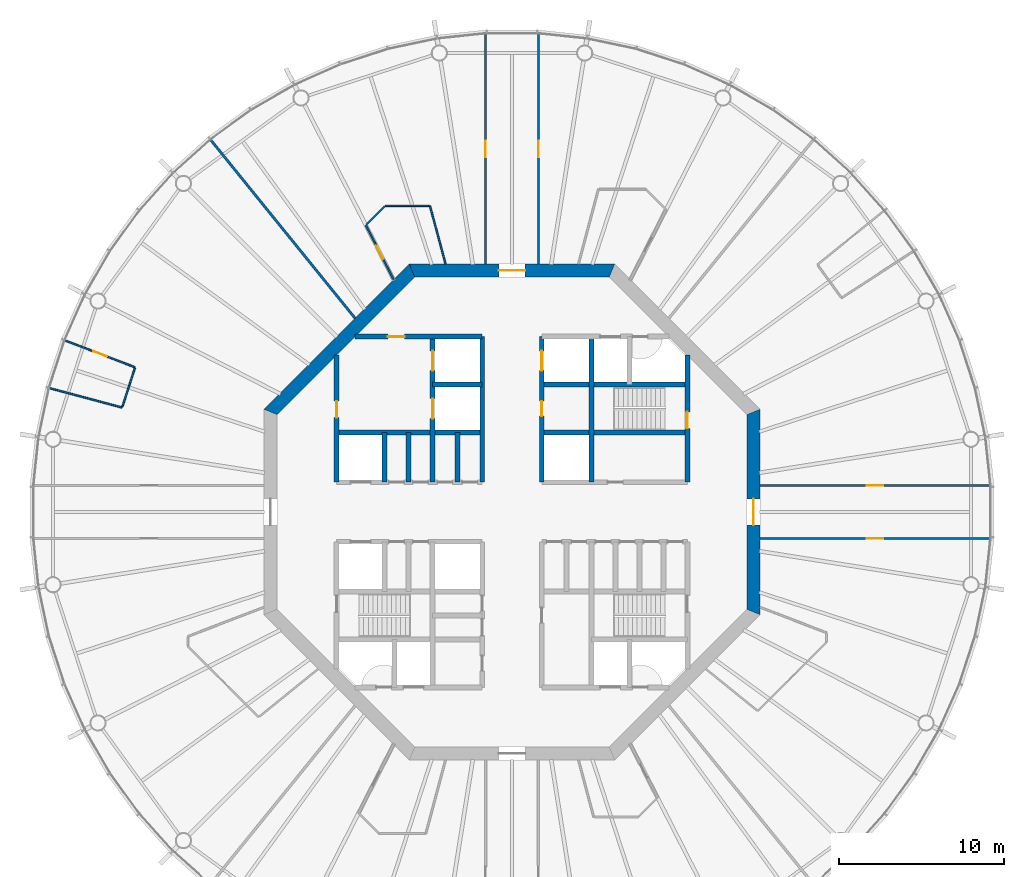
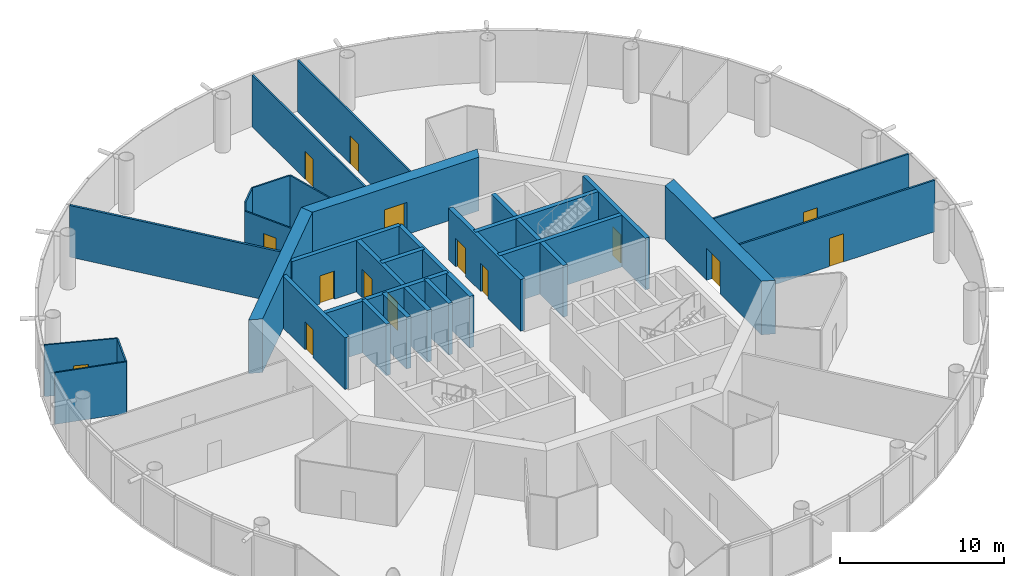
# One storey, part 5 of 13: 29 walls, 15 doors, 15 openings.
"""IFC4 building model written with IfcOpenShell, lengths in metres."""

from ifc_helpers import new_model, si_unit, direction, frame, frame_2d, origin, place, context, subcontext, project, spatial, polyline, rectangle, outline, extrude, material, layer, layer_set, type_object, element, fill, save


model = new_model("IFC4")

# Units and contexts
model_context = context("Model", 3, precision=1e-05, world=origin(), true_north=direction((0.0, 1.0)))
body_context = subcontext(model_context, "Body", "Model", "MODEL_VIEW")
ifc_project = project(units=[si_unit("LENGTHUNIT", "METRE"), si_unit("AREAUNIT", "SQUARE_METRE"), si_unit("VOLUMEUNIT", "CUBIC_METRE"), si_unit("PLANEANGLEUNIT", "RADIAN"), si_unit("MASSUNIT", "GRAM", prefix="KILO")], contexts=[model_context])

# Site, building, storey
site_placement = place(None, origin())
site = spatial("IfcSite", under=ifc_project, at=site_placement, CompositionType="ELEMENT")
building_placement = place(site_placement, origin())
building = spatial("IfcBuilding", under=site, at=building_placement, Name="Entoto Ring Tower", CompositionType="ELEMENT")
storey_placement = place(building_placement, frame((0.0, 0.0, 290.0)))
storey = spatial("IfcBuildingStorey", under=building, at=storey_placement, Name="L66", CompositionType="ELEMENT", Elevation=290.0)

# Wall, opening, door
ifc_material_1 = material(Name="Concrete C40/50", Category="concrete")
ifc_layer_1 = layer(ifc_material_1, 0.300048828125)
ifc_layer_set_1 = layer_set([ifc_layer_1], Name="Concrete C40/50")
wall_type_1 = type_object("IfcWallType", Name="Core enclosure wall 300 mm reinforced concrete", PredefinedType="SOLIDWALL", material=ifc_layer_set_1)
wall_1_placement = place(storey_placement, frame((100.60009765625, 81.800048828125, 0.0), z_axis=(0.0, 0.0, 1.0), x_axis=(0.0, 1.0, 0.0)))
wall_1 = element("IfcWall", 1, at=wall_1_placement, inside=storey, type_object=wall_type_1, Name="wall-L66-002", PredefinedType="SOLIDWALL", context=body_context, shape_type="SweptSolid", body=[
    extrude(rectangle(XDim=7.681640625, YDim=0.300048828125, at=frame_2d((3.8408203125, 0.0))), origin(), (0.0, 0.0, 1.0), 3.85009765625),
])
opening_1_placement = place(wall_1_placement, frame((3.25, 0.0, 0.0)))
opening_1 = element("IfcOpeningElement", 2, at=opening_1_placement, cuts=wall_1, Name="Opening K-29", PredefinedType="OPENING", context=body_context, shape_type="SweptSolid", body=[
    extrude(rectangle(XDim=1.0, YDim=2.10009765625, at=frame_2d((0.5, 1.050048828125))), frame((0.0, 0.16015625, 0.0), z_axis=(0.0, -1.0, 0.0), x_axis=(1.0, 0.0, 0.0)), (0.0, 0.0, 1.0), 0.320068359375),
])
ifc_material_2 = material(Name="Steel door leaf, fire rated", Category="steel")
ifc_layer_2 = layer(ifc_material_2, 0.050048828125)
ifc_layer_set_2 = layer_set([ifc_layer_2], Name="Steel door leaf, fire rated")
door_type_1 = type_object("IfcDoorType", Name="Fire door FD60 1000 x 2100 single leaf", OperationType="NOTDEFINED", PredefinedType="DOOR", material=ifc_layer_set_2)
door_1_placement = place(opening_1_placement, origin())
door_1 = element("IfcDoor", 3, at=door_1_placement, inside=storey, type_object=door_type_1, Name="Door K-29", OperationType="SINGLE_SWING_LEFT", OverallHeight=2.10009765625, OverallWidth=1.0, PredefinedType="DOOR", context=body_context, shape_type="SweptSolid", body=[
    extrude(rectangle(XDim=1.0, YDim=2.10009765625, at=frame_2d((0.5, 1.050048828125))), frame((0.0, 0.02490234375, 0.0), z_axis=(0.0, -1.0, 0.0), x_axis=(1.0, 0.0, 0.0)), (0.0, 0.0, 1.0), 0.050048828125),
])
fill(opening_1, door_1)

# Wall
wall_2_placement = place(storey_placement, frame((94.800048828125, 81.800048828125, 0.0), z_axis=(0.0, 0.0, 1.0), x_axis=(0.0, 1.0, 0.0)))
element("IfcWall", 4, at=wall_2_placement, inside=storey, type_object=wall_type_1, Name="wall-L66-009", PredefinedType="SOLIDWALL", context=body_context, shape_type="SweptSolid", body=[
    extrude(rectangle(XDim=8.800048828125, YDim=0.300048828125, at=frame_2d((4.39990234375, 0.0))), origin(), (0.0, 0.0, 1.0), 3.85009765625),
])

# Wall, openings, doors
wall_3_placement = place(storey_placement, frame((91.800048828125, 81.800048828125, 0.0), z_axis=(0.0, 0.0, 1.0), x_axis=(0.0, 1.0, 0.0)))
wall_3 = element("IfcWall", 5, at=wall_3_placement, inside=storey, type_object=wall_type_1, Name="wall-L66-012", PredefinedType="SOLIDWALL", context=body_context, shape_type="SweptSolid", body=[
    extrude(rectangle(XDim=8.800048828125, YDim=0.300048828125, at=frame_2d((4.39990234375, 0.0))), origin(), (0.0, 0.0, 1.0), 3.85009765625),
])
opening_2_placement = place(wall_3_placement, frame((6.75, 0.0, 0.0)))
opening_2 = element("IfcOpeningElement", 6, at=opening_2_placement, cuts=wall_3, Name="Opening LD", PredefinedType="OPENING", context=body_context, shape_type="SweptSolid", body=[
    extrude(rectangle(XDim=1.199951171875, YDim=2.10009765625, at=frame_2d((0.60009765625, 1.050048828125))), frame((0.0, 0.16015625, 0.0), z_axis=(0.0, -1.0, 0.0), x_axis=(1.0, 0.0, 0.0)), (0.0, 0.0, 1.0), 0.320068359375),
])
opening_3_placement = place(wall_3_placement, frame((4.0, 0.0, 0.0)))
opening_3 = element("IfcOpeningElement", 7, at=opening_3_placement, cuts=wall_3, Name="Opening K-63", PredefinedType="OPENING", context=body_context, shape_type="SweptSolid", body=[
    extrude(rectangle(XDim=0.89990234375, YDim=2.10009765625, at=frame_2d((0.449951171875, 1.050048828125))), frame((0.0, 0.16015625, 0.0), z_axis=(0.0, -1.0, 0.0), x_axis=(1.0, 0.0, 0.0)), (0.0, 0.0, 1.0), 0.320068359375),
])
ifc_material_3 = material(Name="Steel door leaf, fire rated", Category="steel")
ifc_layer_3 = layer(ifc_material_3, 0.050048828125)
ifc_layer_set_3 = layer_set([ifc_layer_3], Name="Steel door leaf, fire rated")
door_type_2 = type_object("IfcDoorType", Name="Core door 900 x 2100 single leaf", OperationType="NOTDEFINED", PredefinedType="DOOR", material=ifc_layer_set_3)
door_2_placement = place(opening_3_placement, frame((0.89990234375, 0.0, 0.0), z_axis=(0.0, 0.0, 1.0), x_axis=(-1.0, 0.0, 0.0)))
door_2 = element("IfcDoor", 8, at=door_2_placement, inside=storey, type_object=door_type_2, Name="Door K-63", OperationType="SINGLE_SWING_RIGHT", OverallHeight=2.10009765625, OverallWidth=0.89990234375, PredefinedType="DOOR", context=body_context, shape_type="SweptSolid", body=[
    extrude(rectangle(XDim=0.89990234375, YDim=2.10009765625, at=frame_2d((0.449951171875, 1.050048828125))), frame((0.0, 0.02490234375, 0.0), z_axis=(0.0, -1.0, 0.0), x_axis=(1.0, 0.0, 0.0)), (0.0, 0.0, 1.0), 0.050048828125),
])
fill(opening_3, door_2)
ifc_material_4 = material(Name="Steel and glass door leaf", Category="steel")
ifc_layer_4 = layer(ifc_material_4, 0.050048828125)
ifc_layer_set_4 = layer_set([ifc_layer_4], Name="Steel and glass door leaf")
door_type_3 = type_object("IfcDoorType", Name="Landing door 1200 x 2100 sliding", OperationType="DOUBLE_DOOR_SLIDING", PredefinedType="DOOR", material=ifc_layer_set_4)
door_3_placement = place(opening_2_placement, origin())
door_3 = element("IfcDoor", 9, at=door_3_placement, inside=storey, type_object=door_type_3, Name="Landing door SH3", OperationType="SLIDING_TO_RIGHT", OverallHeight=2.10009765625, OverallWidth=1.199951171875, PredefinedType="DOOR", context=body_context, shape_type="SweptSolid", body=[
    extrude(rectangle(XDim=1.199951171875, YDim=2.10009765625, at=frame_2d((0.60009765625, 1.050048828125))), frame((0.0, 0.02490234375, 0.0), z_axis=(0.0, -1.0, 0.0), x_axis=(1.0, 0.0, 0.0)), (0.0, 0.0, 1.0), 0.050048828125),
])
fill(opening_2, door_3)

# Walls
wall_4_placement = place(storey_placement, frame((88.199951171875, 81.800048828125, 0.0), z_axis=(0.0, 0.0, 1.0), x_axis=(0.0, 1.0, 0.0)))
element("IfcWall", 10, at=wall_4_placement, inside=storey, type_object=wall_type_1, Name="wall-L66-014", PredefinedType="SOLIDWALL", context=body_context, shape_type="SweptSolid", body=[
    extrude(rectangle(XDim=8.800048828125, YDim=0.300048828125, at=frame_2d((4.39990234375, 0.0))), origin(), (0.0, 0.0, 1.0), 3.85009765625),
])
wall_5_placement = place(storey_placement, frame((86.699951171875, 81.800048828125, 0.0), z_axis=(0.0, 0.0, 1.0), x_axis=(0.0, 1.0, 0.0)))
element("IfcWall", 11, at=wall_5_placement, inside=storey, type_object=wall_type_1, Name="wall-L66-015", PredefinedType="SOLIDWALL", context=body_context, shape_type="SweptSolid", body=[
    extrude(rectangle(XDim=3.0, YDim=0.300048828125, at=frame_2d((1.5, 0.0))), origin(), (0.0, 0.0, 1.0), 3.85009765625),
])

# Wall, openings, doors
wall_6_placement = place(storey_placement, frame((85.199951171875, 81.800048828125, 0.0), z_axis=(0.0, 0.0, 1.0), x_axis=(0.0, 1.0, 0.0)))
wall_6 = element("IfcWall", 12, at=wall_6_placement, inside=storey, type_object=wall_type_1, Name="wall-L66-017", PredefinedType="SOLIDWALL", context=body_context, shape_type="SweptSolid", body=[
    extrude(rectangle(XDim=8.800048828125, YDim=0.300048828125, at=frame_2d((4.39990234375, 0.0))), origin(), (0.0, 0.0, 1.0), 3.85009765625),
])
opening_4_placement = place(wall_6_placement, frame((3.85009765625, 0.0, 0.0)))
opening_4 = element("IfcOpeningElement", 13, at=opening_4_placement, cuts=wall_6, Name="Opening LD", PredefinedType="OPENING", context=body_context, shape_type="SweptSolid", body=[
    extrude(rectangle(XDim=1.199951171875, YDim=2.10009765625, at=frame_2d((0.60009765625, 1.050048828125))), frame((0.0, 0.16015625, 0.0), z_axis=(0.0, -1.0, 0.0), x_axis=(1.0, 0.0, 0.0)), (0.0, 0.0, 1.0), 0.320068359375),
])
opening_5_placement = place(wall_6_placement, frame((6.75, 0.0, 0.0)))
opening_5 = element("IfcOpeningElement", 14, at=opening_5_placement, cuts=wall_6, Name="Opening LD", PredefinedType="OPENING", context=body_context, shape_type="SweptSolid", body=[
    extrude(rectangle(XDim=1.199951171875, YDim=2.10009765625, at=frame_2d((0.60009765625, 1.050048828125))), frame((0.0, 0.16015625, 0.0), z_axis=(0.0, -1.0, 0.0), x_axis=(1.0, 0.0, 0.0)), (0.0, 0.0, 1.0), 0.320068359375),
])
door_4_placement = place(opening_4_placement, origin())
door_4 = element("IfcDoor", 15, at=door_4_placement, inside=storey, type_object=door_type_3, Name="Landing door FF1", OperationType="SLIDING_TO_RIGHT", OverallHeight=2.10009765625, OverallWidth=1.199951171875, PredefinedType="DOOR", context=body_context, shape_type="SweptSolid", body=[
    extrude(rectangle(XDim=1.199951171875, YDim=2.10009765625, at=frame_2d((0.60009765625, 1.050048828125))), frame((0.0, 0.02490234375, 0.0), z_axis=(0.0, -1.0, 0.0), x_axis=(1.0, 0.0, 0.0)), (0.0, 0.0, 1.0), 0.050048828125),
])
fill(opening_4, door_4)
door_5_placement = place(opening_5_placement, origin())
door_5 = element("IfcDoor", 16, at=door_5_placement, inside=storey, type_object=door_type_3, Name="Landing door FF2", OperationType="SLIDING_TO_RIGHT", OverallHeight=2.10009765625, OverallWidth=1.199951171875, PredefinedType="DOOR", context=body_context, shape_type="SweptSolid", body=[
    extrude(rectangle(XDim=1.199951171875, YDim=2.10009765625, at=frame_2d((0.60009765625, 1.050048828125))), frame((0.0, 0.02490234375, 0.0), z_axis=(0.0, -1.0, 0.0), x_axis=(1.0, 0.0, 0.0)), (0.0, 0.0, 1.0), 0.050048828125),
])
fill(opening_5, door_5)

# Walls
for number, where, z_axis, x_axis, name in (
    (17, (83.75, 81.800048828125, 0.0), (0.0, 0.0, 1.0), (0.0, 1.0, 0.0), "wall-L66-019"),
    (18, (82.300048828125, 81.800048828125, 0.0), (0.0, 0.0, 1.0), (0.0, 1.0, 0.0), "wall-L66-022"),
):
    element("IfcWall", number, at=place(storey_placement, frame(where, z_axis=z_axis, x_axis=x_axis)), inside=storey, type_object=wall_type_1, Name=name, PredefinedType="SOLIDWALL", context=body_context, shape_type="SweptSolid", body=[
        extrude(rectangle(XDim=3.0, YDim=0.300048828125, at=frame_2d((1.5, 0.0))), origin(), (0.0, 0.0, 1.0), 3.85009765625),
    ])

# Wall, opening, door
wall_7_placement = place(storey_placement, frame((79.39990234375, 81.800048828125, 0.0), z_axis=(0.0, 0.0, 1.0), x_axis=(0.0, 1.0, 0.0)))
wall_7 = element("IfcWall", 19, at=wall_7_placement, inside=storey, type_object=wall_type_1, Name="wall-L66-024", PredefinedType="SOLIDWALL", context=body_context, shape_type="SweptSolid", body=[
    extrude(rectangle(XDim=7.681640625, YDim=0.300048828125, at=frame_2d((3.8408203125, 0.0))), origin(), (0.0, 0.0, 1.0), 3.85009765625),
])
opening_6_placement = place(wall_7_placement, frame((3.89990234375, 0.0, 0.0)))
opening_6 = element("IfcOpeningElement", 20, at=opening_6_placement, cuts=wall_7, Name="Opening K-35", PredefinedType="OPENING", context=body_context, shape_type="SweptSolid", body=[
    extrude(rectangle(XDim=1.0, YDim=2.10009765625, at=frame_2d((0.5, 1.050048828125))), frame((0.0, 0.16015625, 0.0), z_axis=(0.0, -1.0, 0.0), x_axis=(1.0, 0.0, 0.0)), (0.0, 0.0, 1.0), 0.320068359375),
])
door_6_placement = place(opening_6_placement, frame((1.0, 0.0, 0.0), z_axis=(0.0, 0.0, 1.0), x_axis=(-1.0, 0.0, 0.0)))
door_6 = element("IfcDoor", 21, at=door_6_placement, inside=storey, type_object=door_type_1, Name="Door K-35", OperationType="SINGLE_SWING_RIGHT", OverallHeight=2.10009765625, OverallWidth=1.0, PredefinedType="DOOR", context=body_context, shape_type="SweptSolid", body=[
    extrude(rectangle(XDim=1.0, YDim=2.10009765625, at=frame_2d((0.5, 1.050048828125))), frame((0.0, 0.02490234375, 0.0), z_axis=(0.0, -1.0, 0.0), x_axis=(1.0, 0.0, 0.0)), (0.0, 0.0, 1.0), 0.050048828125),
])
fill(opening_6, door_6)

# Walls
for number, where, z_axis, x_axis, name in (
    (22, (79.39990234375, 84.800048828125, 0.0), (0.0, 0.0, 1.0), (1.0, 0.0, 0.0), "wall-L66-036"),
    (23, (91.800048828125, 84.800048828125, 0.0), (0.0, 0.0, 1.0), (1.0, 0.0, 0.0), "wall-L66-037"),
):
    element("IfcWall", number, at=place(storey_placement, frame(where, z_axis=z_axis, x_axis=x_axis)), inside=storey, type_object=wall_type_1, Name=name, PredefinedType="SOLIDWALL", context=body_context, shape_type="SweptSolid", body=[
        extrude(rectangle(XDim=8.800048828125, YDim=0.300048828125, at=frame_2d((4.39990234375, 0.0))), origin(), (0.0, 0.0, 1.0), 3.85009765625),
    ])
wall_8_placement = place(storey_placement, frame((85.199951171875, 87.699951171875, 0.0), z_axis=(0.0, 0.0, 1.0), x_axis=(1.0, 0.0, 0.0)))
element("IfcWall", 24, at=wall_8_placement, inside=storey, type_object=wall_type_1, Name="wall-L66-038", PredefinedType="SOLIDWALL", context=body_context, shape_type="SweptSolid", body=[
    extrude(rectangle(XDim=3.0, YDim=0.300048828125, at=frame_2d((1.5, 0.0))), origin(), (0.0, 0.0, 1.0), 3.85009765625),
])
wall_9_placement = place(storey_placement, frame((91.800048828125, 87.699951171875, 0.0), z_axis=(0.0, 0.0, 1.0), x_axis=(1.0, 0.0, 0.0)))
element("IfcWall", 25, at=wall_9_placement, inside=storey, type_object=wall_type_1, Name="wall-L66-039", PredefinedType="SOLIDWALL", context=body_context, shape_type="SweptSolid", body=[
    extrude(rectangle(XDim=8.800048828125, YDim=0.300048828125, at=frame_2d((4.39990234375, 0.0))), origin(), (0.0, 0.0, 1.0), 3.85009765625),
])

# Wall, opening, door
wall_10_placement = place(storey_placement, frame((80.518310546875, 90.60009765625, 0.0), z_axis=(0.0, 0.0, 1.0), x_axis=(1.0, 0.0, 0.0)))
wall_10 = element("IfcWall", 26, at=wall_10_placement, inside=storey, type_object=wall_type_1, Name="wall-L66-040", PredefinedType="SOLIDWALL", context=body_context, shape_type="SweptSolid", body=[
    extrude(rectangle(XDim=7.681640625, YDim=0.300048828125, at=frame_2d((3.8408203125, 0.0))), origin(), (0.0, 0.0, 1.0), 3.85009765625),
])
opening_7_placement = place(wall_10_placement, frame((1.981689453125, 0.0, 0.0)))
opening_7 = element("IfcOpeningElement", 27, at=opening_7_placement, cuts=wall_10, Name="Opening K-36", PredefinedType="OPENING", context=body_context, shape_type="SweptSolid", body=[
    extrude(rectangle(XDim=1.0, YDim=2.10009765625, at=frame_2d((0.5, 1.050048828125))), frame((0.0, 0.16015625, 0.0), z_axis=(0.0, -1.0, 0.0), x_axis=(1.0, 0.0, 0.0)), (0.0, 0.0, 1.0), 0.320068359375),
])
door_7_placement = place(opening_7_placement, frame((1.0, 0.0, 0.0), z_axis=(0.0, 0.0, 1.0), x_axis=(-1.0, 0.0, 0.0)))
door_7 = element("IfcDoor", 28, at=door_7_placement, inside=storey, type_object=door_type_1, Name="Door K-36", OperationType="SINGLE_SWING_LEFT", OverallHeight=2.10009765625, OverallWidth=1.0, PredefinedType="DOOR", context=body_context, shape_type="SweptSolid", body=[
    extrude(rectangle(XDim=1.0, YDim=2.10009765625, at=frame_2d((0.5, 1.050048828125))), frame((0.0, 0.02490234375, 0.0), z_axis=(0.0, -1.0, 0.0), x_axis=(1.0, 0.0, 0.0)), (0.0, 0.0, 1.0), 0.050048828125),
])
fill(opening_7, door_7)

ifc_material_5 = material(Name="Concrete C40/50", Category="concrete")
ifc_layer_5 = layer(ifc_material_5, 0.800048828125)
ifc_layer_set_5 = layer_set([ifc_layer_5], Name="Concrete C40/50")
wall_type_2 = type_object("IfcWallType", Name="Core shear wall 800 mm reinforced concrete C40/50", PredefinedType="SHEAR", material=ifc_layer_set_5)
wall_11_placement = place(storey_placement, frame((104.60009765625, 73.952392578125, 0.0), z_axis=(0.0, 0.0, 1.0), x_axis=(0.0, 1.0, 0.0)))
wall_11 = element("IfcWall", 29, at=wall_11_placement, inside=storey, type_object=wall_type_2, Name="wall-L66-core-0", PredefinedType="SHEAR", context=body_context, shape_type="SweptSolid", body=[
    extrude(outline(polyline([(-0.165771484375, -0.39990234375), (12.260986328125, -0.39990234375), (11.929443359375, 0.39990234375), (0.165771484375, 0.39990234375), (-0.165771484375, -0.39990234375)])), origin(), (0.0, 0.0, 1.0), 4.0),
])
opening_8_placement = place(wall_11_placement, frame((5.24755859375, 0.0, 0.0)))
opening_8 = element("IfcOpeningElement", 30, at=opening_8_placement, cuts=wall_11, Name="Opening K-01", PredefinedType="OPENING", context=body_context, shape_type="SweptSolid", body=[
    extrude(rectangle(XDim=1.60009765625, YDim=2.39990234375, at=frame_2d((0.800048828125, 1.199951171875))), frame((0.0, 0.41015625, 0.0), z_axis=(0.0, -1.0, 0.0), x_axis=(1.0, 0.0, 0.0)), (0.0, 0.0, 1.0), 0.820068359375),
])
ifc_material_6 = material(Name="Steel door leaf, fire rated", Category="steel")
ifc_layer_6 = layer(ifc_material_6, 0.050048828125)
ifc_layer_set_6 = layer_set([ifc_layer_6], Name="Steel door leaf, fire rated")
door_type_4 = type_object("IfcDoorType", Name="Entrance door FD60 1600 x 2400 double leaf", OperationType="DOUBLE_DOOR_SINGLE_SWING", PredefinedType="DOOR", material=ifc_layer_set_6)
door_8_placement = place(opening_8_placement, origin())
door_8 = element("IfcDoor", 31, at=door_8_placement, inside=storey, type_object=door_type_4, Name="Entrance door K-01", OperationType="DOUBLE_DOOR_SINGLE_SWING", OverallHeight=2.39990234375, OverallWidth=1.60009765625, PredefinedType="DOOR", context=body_context, shape_type="SweptSolid", body=[
    extrude(rectangle(XDim=1.60009765625, YDim=2.39990234375, at=frame_2d((0.800048828125, 1.199951171875))), frame((0.0, 0.02490234375, 0.0), z_axis=(0.0, -1.0, 0.0), x_axis=(1.0, 0.0, 0.0)), (0.0, 0.0, 1.0), 0.050048828125),
])
fill(opening_8, door_8)

wall_12_placement = place(storey_placement, frame((96.047607421875, 94.60009765625, 0.0), z_axis=(0.0, 0.0, 1.0), x_axis=(-1.0, 0.0, 0.0)))
wall_12 = element("IfcWall", 32, at=wall_12_placement, inside=storey, type_object=wall_type_2, Name="wall-L66-core-2", PredefinedType="SHEAR", context=body_context, shape_type="SweptSolid", body=[
    extrude(outline(polyline([(-0.165771484375, -0.39990234375), (12.260986328125, -0.39990234375), (11.929443359375, 0.39990234375), (0.165771484375, 0.39990234375), (-0.165771484375, -0.39990234375)])), origin(), (0.0, 0.0, 1.0), 4.0),
])
opening_9_placement = place(wall_12_placement, frame((5.24755859375, 0.0, 0.0)))
opening_9 = element("IfcOpeningElement", 33, at=opening_9_placement, cuts=wall_12, Name="Opening K-02", PredefinedType="OPENING", context=body_context, shape_type="SweptSolid", body=[
    extrude(rectangle(XDim=1.60009765625, YDim=2.39990234375, at=frame_2d((0.800048828125, 1.199951171875))), frame((0.0, 0.41015625, 0.0), z_axis=(0.0, -1.0, 0.0), x_axis=(1.0, 0.0, 0.0)), (0.0, 0.0, 1.0), 0.820068359375),
])
door_9_placement = place(opening_9_placement, origin())
door_9 = element("IfcDoor", 34, at=door_9_placement, inside=storey, type_object=door_type_4, Name="Entrance door K-02", OperationType="DOUBLE_DOOR_SINGLE_SWING", OverallHeight=2.39990234375, OverallWidth=1.60009765625, PredefinedType="DOOR", context=body_context, shape_type="SweptSolid", body=[
    extrude(rectangle(XDim=1.60009765625, YDim=2.39990234375, at=frame_2d((0.800048828125, 1.199951171875))), frame((0.0, 0.02490234375, 0.0), z_axis=(0.0, -1.0, 0.0), x_axis=(1.0, 0.0, 0.0)), (0.0, 0.0, 1.0), 0.050048828125),
])
fill(opening_9, door_9)

# Wall
wall_13_placement = place(storey_placement, frame((83.952392578125, 94.60009765625, 0.0), z_axis=(0.0, 0.0, 1.0), x_axis=(-0.707106781187, -0.707106781187, 0.0)))
element("IfcWall", 35, at=wall_13_placement, inside=storey, type_object=wall_type_2, Name="wall-L66-core-3", PredefinedType="SHEAR", context=body_context, shape_type="SweptSolid", body=[
    extrude(outline(polyline([(-0.165771484375, -0.39990234375), (12.2607421875, -0.39990234375), (11.92919921875, 0.39990234375), (0.165771484375, 0.39990234375), (-0.165771484375, -0.39990234375)])), origin(), (0.0, 0.0, 1.0), 4.0),
])

# Wall, opening, door
ifc_material_7 = material(Name="Fire-resisting plasterboard on steel studs", Category="steel")
ifc_layer_7 = layer(ifc_material_7, 0.125)
ifc_layer_set_7 = layer_set([ifc_layer_7], Name="Fire-resisting plasterboard on steel studs")
wall_type_3 = type_object("IfcWallType", Name="Corridor wall 125 mm one-hour plasterboard on steel studs", PredefinedType="PARTITIONING", material=ifc_layer_set_7)
wall_14_placement = place(storey_placement, frame((88.39990234375, 95.0, 0.0), z_axis=(0.0, 0.0, 1.0), x_axis=(0.0, 1.0, 0.0)))
wall_14 = element("IfcWall", 36, at=wall_14_placement, inside=storey, type_object=wall_type_3, Name="partition-L66-004", PredefinedType="PARTITIONING", context=body_context, shape_type="SweptSolid", body=[
    extrude(rectangle(XDim=13.891357421875, YDim=0.125, at=frame_2d((6.94580078125, 0.0))), origin(), (0.0, 0.0, 1.0), 3.85009765625),
])
opening_10_placement = place(wall_14_placement, frame((6.44580078125, 0.0, 0.0)))
opening_10 = element("IfcOpeningElement", 37, at=opening_10_placement, cuts=wall_14, Name="Opening A29-D05", PredefinedType="OPENING", context=body_context, shape_type="SweptSolid", body=[
    extrude(rectangle(XDim=1.0, YDim=2.10009765625, at=frame_2d((0.5, 1.050048828125))), frame((0.0, 0.072509765625, 0.0), z_axis=(0.0, -1.0, 0.0), x_axis=(1.0, 0.0, 0.0)), (0.0, 0.0, 1.0), 0.14501953125),
])
ifc_material_8 = material(Name="Fire-resisting timber door set", Category="wood")
door_type_5 = type_object("IfcDoorType", Name="Door 1000 x 2100 single leaf FD30S fire door", OperationType="NOTDEFINED", PredefinedType="DOOR", material=ifc_material_8)
door_10_placement = place(opening_10_placement, origin())
door_10 = element("IfcDoor", 38, at=door_10_placement, inside=storey, type_object=door_type_5, Name="Door A29-D05", OperationType="SINGLE_SWING_RIGHT", OverallHeight=2.10009765625, OverallWidth=1.0, PredefinedType="DOOR", context=body_context, shape_type="SweptSolid", body=[
    extrude(rectangle(XDim=1.0, YDim=2.10009765625, at=frame_2d((0.5, 1.050048828125))), frame((0.0, 0.02490234375, 0.0), z_axis=(0.0, -1.0, 0.0), x_axis=(1.0, 0.0, 0.0)), (0.0, 0.0, 1.0), 0.050048828125),
])
fill(opening_10, door_10)

wall_15_placement = place(storey_placement, frame((91.60009765625, 95.0, 0.0), z_axis=(0.0, 0.0, 1.0), x_axis=(0.0, 1.0, 0.0)))
wall_15 = element("IfcWall", 39, at=wall_15_placement, inside=storey, type_object=wall_type_3, Name="partition-L66-006", PredefinedType="PARTITIONING", context=body_context, shape_type="SweptSolid", body=[
    extrude(rectangle(XDim=13.891357421875, YDim=0.125, at=frame_2d((6.94580078125, 0.0))), origin(), (0.0, 0.0, 1.0), 3.85009765625),
])
opening_11_placement = place(wall_15_placement, frame((6.44580078125, 0.0, 0.0)))
opening_11 = element("IfcOpeningElement", 40, at=opening_11_placement, cuts=wall_15, Name="Opening A29-D03", PredefinedType="OPENING", context=body_context, shape_type="SweptSolid", body=[
    extrude(rectangle(XDim=1.0, YDim=2.10009765625, at=frame_2d((0.5, 1.050048828125))), frame((0.0, 0.072509765625, 0.0), z_axis=(0.0, -1.0, 0.0), x_axis=(1.0, 0.0, 0.0)), (0.0, 0.0, 1.0), 0.14501953125),
])
door_11_placement = place(opening_11_placement, frame((1.0, 0.0, 0.0), z_axis=(0.0, 0.0, 1.0), x_axis=(-1.0, 0.0, 0.0)))
door_11 = element("IfcDoor", 41, at=door_11_placement, inside=storey, type_object=door_type_5, Name="Door A29-D03", OperationType="SINGLE_SWING_LEFT", OverallHeight=2.10009765625, OverallWidth=1.0, PredefinedType="DOOR", context=body_context, shape_type="SweptSolid", body=[
    extrude(rectangle(XDim=1.0, YDim=2.10009765625, at=frame_2d((0.5, 1.050048828125))), frame((0.0, 0.02490234375, 0.0), z_axis=(0.0, -1.0, 0.0), x_axis=(1.0, 0.0, 0.0)), (0.0, 0.0, 1.0), 0.050048828125),
])
fill(opening_11, door_11)

wall_16_placement = place(storey_placement, frame((105.0, 78.39990234375, 0.0), z_axis=(0.0, 0.0, 1.0), x_axis=(1.0, 0.0, 0.0)))
wall_16 = element("IfcWall", 42, at=wall_16_placement, inside=storey, type_object=wall_type_3, Name="partition-L66-007", PredefinedType="PARTITIONING", context=body_context, shape_type="SweptSolid", body=[
    extrude(rectangle(XDim=13.891357421875, YDim=0.125, at=frame_2d((6.94580078125, 0.0))), origin(), (0.0, 0.0, 1.0), 3.85009765625),
])
opening_12_placement = place(wall_16_placement, frame((6.44580078125, 0.0, 0.0)))
opening_12 = element("IfcOpeningElement", 43, at=opening_12_placement, cuts=wall_16, Name="Opening A29-D15", PredefinedType="OPENING", context=body_context, shape_type="SweptSolid", body=[
    extrude(rectangle(XDim=1.0, YDim=2.10009765625, at=frame_2d((0.5, 1.050048828125))), frame((0.0, 0.072509765625, 0.0), z_axis=(0.0, -1.0, 0.0), x_axis=(1.0, 0.0, 0.0)), (0.0, 0.0, 1.0), 0.14501953125),
])
door_12_placement = place(opening_12_placement, frame((1.0, 0.0, 0.0), z_axis=(0.0, 0.0, 1.0), x_axis=(-1.0, 0.0, 0.0)))
door_12 = element("IfcDoor", 44, at=door_12_placement, inside=storey, type_object=door_type_5, Name="Door A29-D15", OperationType="SINGLE_SWING_LEFT", OverallHeight=2.10009765625, OverallWidth=1.0, PredefinedType="DOOR", context=body_context, shape_type="SweptSolid", body=[
    extrude(rectangle(XDim=1.0, YDim=2.10009765625, at=frame_2d((0.5, 1.050048828125))), frame((0.0, 0.02490234375, 0.0), z_axis=(0.0, -1.0, 0.0), x_axis=(1.0, 0.0, 0.0)), (0.0, 0.0, 1.0), 0.050048828125),
])
fill(opening_12, door_12)

wall_17_placement = place(storey_placement, frame((105.0, 81.60009765625, 0.0), z_axis=(0.0, 0.0, 1.0), x_axis=(1.0, 0.0, 0.0)))
wall_17 = element("IfcWall", 45, at=wall_17_placement, inside=storey, type_object=wall_type_3, Name="partition-L66-008", PredefinedType="PARTITIONING", context=body_context, shape_type="SweptSolid", body=[
    extrude(rectangle(XDim=13.891357421875, YDim=0.125, at=frame_2d((6.94580078125, 0.0))), origin(), (0.0, 0.0, 1.0), 3.85009765625),
])
opening_13_placement = place(wall_17_placement, frame((6.44580078125, 0.0, 0.0)))
opening_13 = element("IfcOpeningElement", 46, at=opening_13_placement, cuts=wall_17, Name="Opening A29-D01", PredefinedType="OPENING", context=body_context, shape_type="SweptSolid", body=[
    extrude(rectangle(XDim=1.0, YDim=2.10009765625, at=frame_2d((0.5, 1.050048828125))), frame((0.0, 0.072509765625, 0.0), z_axis=(0.0, -1.0, 0.0), x_axis=(1.0, 0.0, 0.0)), (0.0, 0.0, 1.0), 0.14501953125),
])
door_13_placement = place(opening_13_placement, origin())
door_13 = element("IfcDoor", 47, at=door_13_placement, inside=storey, type_object=door_type_5, Name="Door A29-D01", OperationType="SINGLE_SWING_RIGHT", OverallHeight=2.10009765625, OverallWidth=1.0, PredefinedType="DOOR", context=body_context, shape_type="SweptSolid", body=[
    extrude(rectangle(XDim=1.0, YDim=2.10009765625, at=frame_2d((0.5, 1.050048828125))), frame((0.0, 0.02490234375, 0.0), z_axis=(0.0, -1.0, 0.0), x_axis=(1.0, 0.0, 0.0)), (0.0, 0.0, 1.0), 0.050048828125),
])
fill(opening_13, door_13)

ifc_material_9 = material(Name="Plasterboard on steel studs", Category="steel")
ifc_layer_8 = layer(ifc_material_9, 0.10009765625)
ifc_layer_set_8 = layer_set([ifc_layer_8], Name="Plasterboard on steel studs")
wall_type_4 = type_object("IfcWallType", Name="Partition 100 mm plasterboard on steel studs", PredefinedType="PARTITIONING", material=ifc_layer_set_8)
wall_18_placement = place(storey_placement, frame((67.211181640625, 88.747802734375, 0.0), z_axis=(0.0, 0.0, 1.0), x_axis=(-0.933585706351, 0.358354194754, 0.0)))
wall_18 = element("IfcWall", 48, at=wall_18_placement, inside=storey, type_object=wall_type_4, Name="partition-L66-023", PredefinedType="PARTITIONING", context=body_context, shape_type="SweptSolid", body=[
    extrude(rectangle(XDim=4.52978515625, YDim=0.10009765625, at=frame_2d((2.264892578125, 0.0))), origin(), (0.0, 0.0, 1.0), 3.85009765625),
])
opening_14_placement = place(wall_18_placement, frame((1.81494140625, 0.0, 0.0)))
opening_14 = element("IfcOpeningElement", 49, at=opening_14_placement, cuts=wall_18, Name="Opening A29-D08", PredefinedType="OPENING", context=body_context, shape_type="SweptSolid", body=[
    extrude(rectangle(XDim=0.89990234375, YDim=2.10009765625, at=frame_2d((0.449951171875, 1.050048828125))), frame((0.0, 0.06005859375, 0.0), z_axis=(0.0, -1.0, 0.0), x_axis=(1.0, 0.0, 0.0)), (0.0, 0.0, 1.0), 0.1201171875),
])
ifc_material_10 = material(Name="Veneered timber door leaf in timber frame", Category="wood")
door_type_6 = type_object("IfcDoorType", Name="Door 900 x 2100 single leaf timber veneer", OperationType="NOTDEFINED", PredefinedType="DOOR", material=ifc_material_10)
door_14_placement = place(opening_14_placement, origin())
door_14 = element("IfcDoor", 50, at=door_14_placement, inside=storey, type_object=door_type_6, Name="Door A29-D08", OperationType="SINGLE_SWING_RIGHT", OverallHeight=2.10009765625, OverallWidth=0.89990234375, PredefinedType="DOOR", context=body_context, shape_type="SweptSolid", body=[
    extrude(rectangle(XDim=0.89990234375, YDim=2.10009765625, at=frame_2d((0.449951171875, 1.050048828125))), frame((0.0, 0.02490234375, 0.0), z_axis=(0.0, -1.0, 0.0), x_axis=(1.0, 0.0, 0.0)), (0.0, 0.0, 1.0), 0.050048828125),
])
fill(opening_14, door_14)

# Walls
wall_19_placement = place(storey_placement, frame((66.421875, 86.31787109375, 0.0), z_axis=(0.0, 0.0, 1.0), x_axis=(-0.965931934516, 0.258796247813, 0.0)))
element("IfcWall", 51, at=wall_19_placement, inside=storey, type_object=wall_type_4, Name="partition-L66-024", PredefinedType="PARTITIONING", context=body_context, shape_type="SweptSolid", body=[
    extrude(rectangle(XDim=4.530029296875, YDim=0.10009765625, at=frame_2d((2.26513671875, 0.0))), origin(), (0.0, 0.0, 1.0), 3.85009765625),
])
wall_20_placement = place(storey_placement, frame((85.980712890625, 95.0, 0.0), z_axis=(0.0, 0.0, 1.0), x_axis=(-0.258799892226, 0.965930958083, 0.0)))
element("IfcWall", 52, at=wall_20_placement, inside=storey, type_object=wall_type_4, Name="partition-L66-028", PredefinedType="PARTITIONING", context=body_context, shape_type="SweptSolid", body=[
    extrude(rectangle(XDim=3.6337890625, YDim=0.10009765625, at=frame_2d((1.81689453125, 0.0))), origin(), (0.0, 0.0, 1.0), 3.85009765625),
])
wall_21_placement = place(storey_placement, frame((82.3330078125, 98.510009765625, 0.0), z_axis=(0.0, 0.0, 1.0), x_axis=(1.0, 0.0, 0.0)))
element("IfcWall", 53, at=wall_21_placement, inside=storey, type_object=wall_type_4, Name="partition-L66-033", PredefinedType="PARTITIONING", context=body_context, shape_type="SweptSolid", body=[
    extrude(rectangle(XDim=2.6591796875, YDim=0.10009765625, at=frame_2d((1.32958984375, 0.0))), origin(), (0.0, 0.0, 1.0), 3.85009765625),
])
wall_22_placement = place(storey_placement, frame((66.437255859375, 86.365234375, 0.0), z_axis=(0.0, 0.0, 1.0), x_axis=(0.308969144468, 0.951072062341, 0.0)))
element("IfcWall", 54, at=wall_22_placement, inside=storey, type_object=wall_type_4, Name="partition-L66-035", PredefinedType="PARTITIONING", context=body_context, shape_type="SweptSolid", body=[
    extrude(rectangle(XDim=2.455078125, YDim=0.10009765625, at=frame_2d((1.2275390625, 0.0))), origin(), (0.0, 0.0, 1.0), 3.85009765625),
])
wall_23_placement = place(storey_placement, frame((81.19775390625, 97.374755859375, 0.0), z_axis=(0.0, 0.0, 1.0), x_axis=(0.707106781187, 0.707106781187, 0.0)))
element("IfcWall", 55, at=wall_23_placement, inside=storey, type_object=wall_type_4, Name="partition-L66-039", PredefinedType="PARTITIONING", context=body_context, shape_type="SweptSolid", body=[
    extrude(rectangle(XDim=1.5703125, YDim=0.10009765625, at=frame_2d((0.78515625, 0.0))), origin(), (0.0, 0.0, 1.0), 3.85009765625),
])

# Wall, opening, door
ifc_material_11 = material(Name="Plasterboard on steel studs", Category="steel")
ifc_layer_9 = layer(ifc_material_11, 0.10009765625)
ifc_layer_set_9 = layer_set([ifc_layer_9], Name="Plasterboard on steel studs")
wall_type_5 = type_object("IfcWallType", Name="Partition 100 mm plasterboard on steel studs, 3250 mm high", PredefinedType="PARTITIONING", material=ifc_layer_set_9)
wall_24_placement = place(storey_placement, frame((82.839599609375, 94.052978515625, 0.0), z_axis=(0.0, 0.0, 1.0), x_axis=(-0.453948574288, 0.891027885031, 0.0)))
wall_24 = element("IfcWall", 56, at=wall_24_placement, inside=storey, type_object=wall_type_5, Name="partition-L66-027", PredefinedType="PARTITIONING", context=body_context, shape_type="SweptSolid", body=[
    extrude(rectangle(XDim=3.6904296875, YDim=0.10009765625, at=frame_2d((1.84521484375, 0.0))), origin(), (0.0, 0.0, 1.0), 3.25),
])
opening_15_placement = place(wall_24_placement, frame((1.395263671875, 0.0, 0.0)))
opening_15 = element("IfcOpeningElement", 57, at=opening_15_placement, cuts=wall_24, Name="Opening A29-D06", PredefinedType="OPENING", context=body_context, shape_type="SweptSolid", body=[
    extrude(rectangle(XDim=0.89990234375, YDim=2.10009765625, at=frame_2d((0.449951171875, 1.050048828125))), frame((0.0, 0.06005859375, 0.0), z_axis=(0.0, -1.0, 0.0), x_axis=(1.0, 0.0, 0.0)), (0.0, 0.0, 1.0), 0.1201171875),
])
door_15_placement = place(opening_15_placement, frame((0.89990234375, 0.0, 0.0), z_axis=(0.0, 0.0, 1.0), x_axis=(-1.0, 0.0, 0.0)))
door_15 = element("IfcDoor", 58, at=door_15_placement, inside=storey, type_object=door_type_6, Name="Door A29-D06", OperationType="SINGLE_SWING_RIGHT", OverallHeight=2.10009765625, OverallWidth=0.89990234375, PredefinedType="DOOR", context=body_context, shape_type="SweptSolid", body=[
    extrude(rectangle(XDim=0.89990234375, YDim=2.10009765625, at=frame_2d((0.449951171875, 1.050048828125))), frame((0.0, 0.02490234375, 0.0), z_axis=(0.0, -1.0, 0.0), x_axis=(1.0, 0.0, 0.0)), (0.0, 0.0, 1.0), 0.050048828125),
])
fill(opening_15, door_15)

# Wall
ifc_material_12 = material(Name="Fire-resisting acoustic plasterboard on steel studs", Category="steel")
ifc_layer_10 = layer(ifc_material_12, 0.14990234375)
ifc_layer_set_10 = layer_set([ifc_layer_10], Name="Fire-resisting acoustic plasterboard on steel studs")
wall_type_6 = type_object("IfcWallType", Name="Party wall 150 mm one-hour acoustic plasterboard on steel studs", PredefinedType="PARTITIONING", material=ifc_layer_set_10)
wall_25_placement = place(storey_placement, frame((80.50830078125, 91.721435546875, 0.0), z_axis=(0.0, 0.0, 1.0), x_axis=(-0.629324927109, 0.777142288207, 0.0)))
element("IfcWall", 59, at=wall_25_placement, inside=storey, type_object=wall_type_6, Name="partition-L66-010", PredefinedType="PARTITIONING", context=body_context, shape_type="SweptSolid", body=[
    extrude(rectangle(XDim=13.857177734375, YDim=0.14990234375, at=frame_2d((6.9287109375, 0.0))), origin(), (0.0, 0.0, 1.0), 3.85009765625),
])

save(model, "model.ifc")
